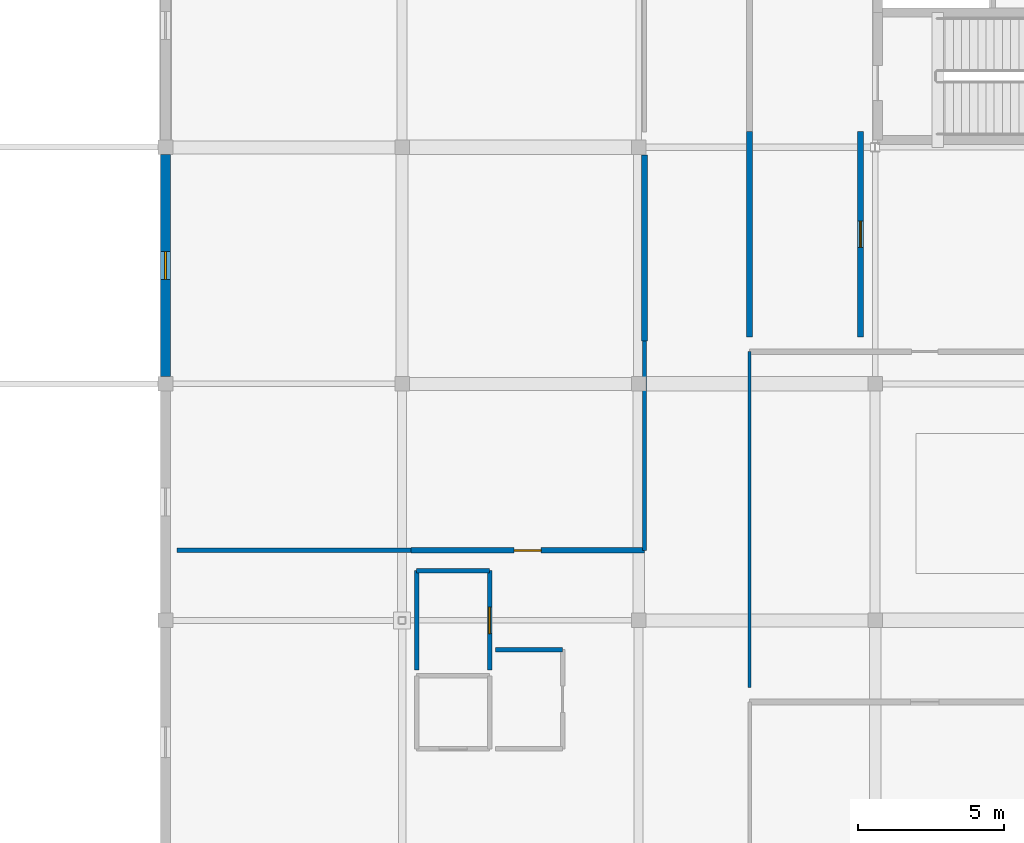
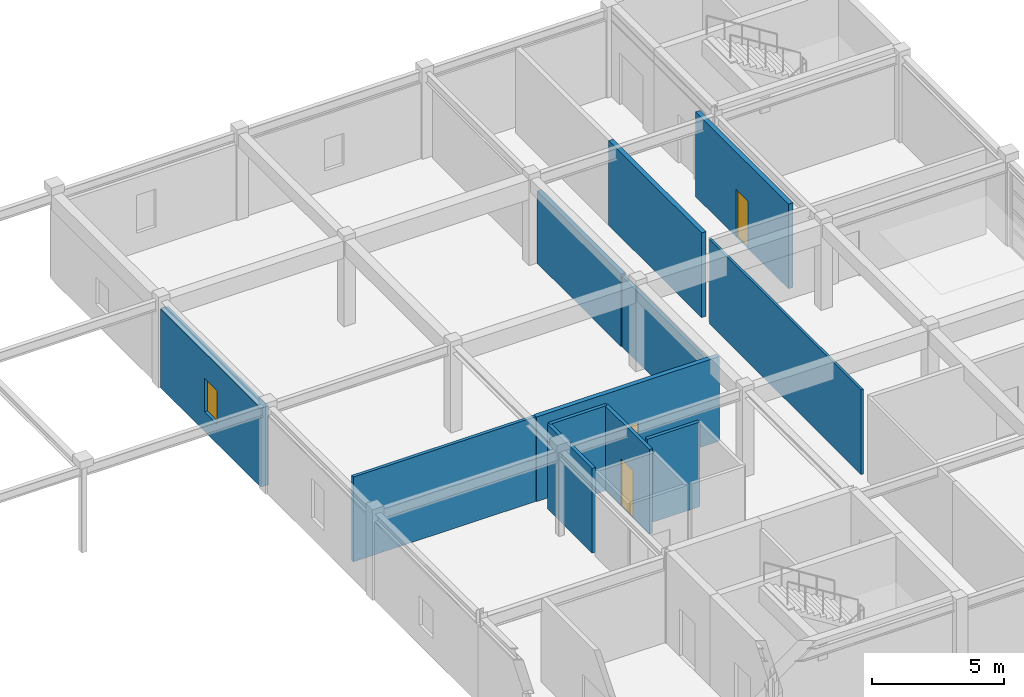
# One storey, part 18 of 26: 12 walls, 3 doors, 1 window, 4 openings.
"""IFC4 building model written with IfcOpenShell, lengths in metres."""

from ifc_helpers import new_model, si_unit, direction, frame, frame_2d, origin, place, context, subcontext, project, spatial, rectangle, extrude, material, layer, layer_set, type_object, element, fill, save


model = new_model("IFC4")

# Units and contexts
model_context = context("Model", 3, precision=1e-05, world=origin(), true_north=direction((0.0, 1.0)))
body_context = subcontext(model_context, "Body", "Model", "MODEL_VIEW")
ifc_project = project(units=[si_unit("LENGTHUNIT", "METRE"), si_unit("AREAUNIT", "SQUARE_METRE"), si_unit("VOLUMEUNIT", "CUBIC_METRE"), si_unit("PLANEANGLEUNIT", "RADIAN"), si_unit("MASSUNIT", "GRAM", prefix="KILO")], contexts=[model_context])

# Site, building, storey
site_placement = place(None, origin())
site = spatial("IfcSite", under=ifc_project, at=site_placement, CompositionType="ELEMENT")
building_placement = place(site_placement, origin())
building = spatial("IfcBuilding", under=site, at=building_placement, Name="Parian Resonance Hall", CompositionType="ELEMENT")
storey_placement = place(building_placement, frame((0.0, 0.0, 19.199951171875)))
storey = spatial("IfcBuildingStorey", under=building, at=storey_placement, Name="L04", CompositionType="ELEMENT", Elevation=19.199951171875)

# Wall, opening, window
ifc_material_1 = material(Name="Concrete C35/45 with Carcar coral-limestone ashlar", Category="masonry")
ifc_layer_1 = layer(ifc_material_1, 0.340087890625)
ifc_layer_set_1 = layer_set([ifc_layer_1], Name="Concrete C35/45 with Carcar coral-limestone ashlar")
wall_type_1 = type_object("IfcWallType", Name="EW-STONE-340", PredefinedType="SOLIDWALL", material=ifc_layer_set_1)
wall_1_placement = place(storey_placement, frame((113.39990234375, 80.75, 0.0), z_axis=(0.0, 0.0, 1.0), x_axis=(0.0, -1.0, 0.0)))
wall_1 = element("IfcWall", 1, at=wall_1_placement, inside=storey, type_object=wall_type_1, Name="Perimeter closure wall L04", PredefinedType="SOLIDWALL", context=body_context, shape_type="SweptSolid", body=[
    extrude(rectangle(XDim=7.60009765625, YDim=0.340087890625, at=frame_2d((3.800048828125, 0.0))), origin(), (0.0, 0.0, 1.0), 3.64599609375),
])
opening_1_placement = place(wall_1_placement, frame((3.324951171875, 0.0, 0.89990234375)))
opening_1 = element("IfcOpeningElement", 2, at=opening_1_placement, cuts=wall_1, Name="Opening WN-05", PredefinedType="OPENING", context=body_context, shape_type="SweptSolid", body=[
    extrude(rectangle(XDim=0.949951171875, YDim=1.550048828125, at=frame_2d((0.47509765625, 0.77490234375))), frame((0.0, 0.179931640625, 0.0), z_axis=(0.0, -1.0, 0.0), x_axis=(1.0, 0.0, 0.0)), (0.0, 0.0, 1.0), 0.360107421875),
])
ifc_material_2 = material(Name="Acoustic laminated double glazing", Category="glass")
window_type = type_object("IfcWindowType", Name="WIN-950x1550", PartitioningType="SINGLE_PANEL", PredefinedType="WINDOW", material=ifc_material_2)
window_placement = place(opening_1_placement, origin())
window = element("IfcWindow", 3, at=window_placement, inside=storey, type_object=window_type, Name="Acoustic window L04-0118", OverallHeight=1.550048828125, OverallWidth=0.949951171875, PartitioningType="SINGLE_PANEL", PredefinedType="WINDOW", context=body_context, shape_type="SweptSolid", body=[
    extrude(rectangle(XDim=0.949951171875, YDim=1.550048828125, at=frame_2d((0.47509765625, 0.77490234375))), frame((0.0, 0.030029296875, 0.0), z_axis=(0.0, -1.0, 0.0), x_axis=(1.0, 0.0, 0.0)), (0.0, 0.0, 1.0), 0.06005859375),
])
fill(opening_1, window)

# Wall
ifc_material_3 = material(Name="Concrete C35/45 fire barrier", Category="concrete")
ifc_layer_2 = layer(ifc_material_3, 0.199951171875)
ifc_layer_set_2 = layer_set([ifc_layer_2], Name="Concrete C35/45 fire barrier")
wall_type_2 = type_object("IfcWallType", Name="FW200", PredefinedType="PARTITIONING", material=ifc_layer_set_2)
wall_2_placement = place(storey_placement, frame((129.800048828125, 80.72998046875, 0.0), z_axis=(0.0, 0.0, 1.0), x_axis=(0.0, -1.0, 0.0)))
element("IfcWall", 4, at=wall_2_placement, inside=storey, type_object=wall_type_2, Name="Interior acoustic partition IW-L04-0268", PredefinedType="PARTITIONING", context=body_context, shape_type="SweptSolid", body=[
    extrude(rectangle(XDim=6.36328125, YDim=0.199951171875, at=frame_2d((3.181640625, 0.0))), origin(), (0.0, 0.0, 1.0), 3.35400390625),
])

# Wall, opening, door
wall_3_placement = place(storey_placement, frame((129.800048828125, 67.199951171875, 0.0), z_axis=(0.0, 0.0, 1.0), x_axis=(-1.0, 0.0, 0.0)))
wall_3 = element("IfcWall", 5, at=wall_3_placement, inside=storey, type_object=wall_type_2, Name="Interior acoustic partition IW-L04-0270", PredefinedType="PARTITIONING", context=body_context, shape_type="SweptSolid", body=[
    extrude(rectangle(XDim=8.0, YDim=0.199951171875, at=frame_2d((4.0, 0.0))), origin(), (0.0, 0.0, 1.0), 3.920166015625),
])
opening_2_placement = place(wall_3_placement, frame((3.5400390625, 0.0, 0.0)))
opening_2 = element("IfcOpeningElement", 6, at=opening_2_placement, cuts=wall_3, Name="Opening ID-20", PredefinedType="OPENING", context=body_context, shape_type="SweptSolid", body=[
    extrude(rectangle(XDim=0.919921875, YDim=2.10009765625, at=frame_2d((0.4599609375, 1.050048828125))), frame((0.0, 0.10986328125, 0.0), z_axis=(0.0, -1.0, 0.0), x_axis=(1.0, 0.0, 0.0)), (0.0, 0.0, 1.0), 0.219970703125),
])
ifc_material_4 = material(Name="Philippine narra acoustic timber door", Category="wood")
door_type_1 = type_object("IfcDoorType", Name="ID-OFF-0920x2100", OperationType="NOTDEFINED", PredefinedType="DOOR", material=ifc_material_4)
door_1_placement = place(opening_2_placement, origin())
door_1 = element("IfcDoor", 7, at=door_1_placement, inside=storey, type_object=door_type_1, Name="Music Library Archive door", OperationType="SINGLE_SWING_LEFT", OverallHeight=2.10009765625, OverallWidth=0.919921875, PredefinedType="DOOR", context=body_context, shape_type="SweptSolid", body=[
    extrude(rectangle(XDim=0.919921875, YDim=2.10009765625, at=frame_2d((0.4599609375, 1.050048828125))), frame((0.0, 0.02490234375, 0.0), z_axis=(0.0, -1.0, 0.0), x_axis=(1.0, 0.0, 0.0)), (0.0, 0.0, 1.0), 0.050048828125),
])
fill(opening_2, door_1)

wall_4_placement = place(storey_placement, frame((137.199951171875, 81.550048828125, 0.0), z_axis=(0.0, 0.0, 1.0), x_axis=(0.0, -1.0, 0.0)))
wall_4 = element("IfcWall", 8, at=wall_4_placement, inside=storey, type_object=wall_type_2, Name="Interior acoustic partition IW-L04-0277", PredefinedType="PARTITIONING", context=body_context, shape_type="SweptSolid", body=[
    extrude(rectangle(XDim=7.050048828125, YDim=0.199951171875, at=frame_2d((3.52490234375, 0.0))), origin(), (0.0, 0.0, 1.0), 3.920166015625),
])
opening_3_placement = place(wall_4_placement, frame((3.074951171875, 0.0, 0.0)))
opening_3 = element("IfcOpeningElement", 9, at=opening_3_placement, cuts=wall_4, Name="Opening ID-23", PredefinedType="OPENING", context=body_context, shape_type="SweptSolid", body=[
    extrude(rectangle(XDim=0.89990234375, YDim=2.199951171875, at=frame_2d((0.449951171875, 1.10009765625))), frame((0.0, 0.10986328125, 0.0), z_axis=(0.0, -1.0, 0.0), x_axis=(1.0, 0.0, 0.0)), (0.0, 0.0, 1.0), 0.219970703125),
])
ifc_material_5 = material(Name="Philippine narra acoustic timber door", Category="wood")
door_type_2 = type_object("IfcDoorType", Name="ID-WC-0900x2200", OperationType="NOTDEFINED", PredefinedType="DOOR", material=ifc_material_5)
door_2_placement = place(opening_3_placement, origin())
door_2 = element("IfcDoor", 10, at=door_2_placement, inside=storey, type_object=door_type_2, Name="Concert Programming Office door", OperationType="SINGLE_SWING_RIGHT", OverallHeight=2.199951171875, OverallWidth=0.89990234375, PredefinedType="DOOR", context=body_context, shape_type="SweptSolid", body=[
    extrude(rectangle(XDim=0.89990234375, YDim=2.199951171875, at=frame_2d((0.449951171875, 1.10009765625))), frame((0.0, 0.02490234375, 0.0), z_axis=(0.0, -1.0, 0.0), x_axis=(1.0, 0.0, 0.0)), (0.0, 0.0, 1.0), 0.050048828125),
])
fill(opening_3, door_2)

# Walls
wall_5_placement = place(storey_placement, frame((133.39990234375, 74.5, 0.0), z_axis=(0.0, 0.0, 1.0), x_axis=(0.0, 1.0, 0.0)))
element("IfcWall", 11, at=wall_5_placement, inside=storey, type_object=wall_type_2, Name="Interior acoustic partition IW-L04-0278", PredefinedType="PARTITIONING", context=body_context, shape_type="SweptSolid", body=[
    extrude(rectangle(XDim=7.050048828125, YDim=0.199951171875, at=frame_2d((3.52490234375, 0.0))), origin(), (0.0, 0.0, 1.0), 3.920166015625),
])
ifc_material_6 = material(Name="Concrete C35/45 acoustic masonry partition", Category="masonry")
ifc_layer_3 = layer(ifc_material_6, 0.10009765625)
ifc_layer_set_3 = layer_set([ifc_layer_3], Name="Concrete C35/45 acoustic masonry partition")
wall_type_3 = type_object("IfcWallType", Name="PW100", PredefinedType="PARTITIONING", material=ifc_layer_set_3)
wall_6_placement = place(storey_placement, frame((133.39990234375, 62.5, 0.0), z_axis=(0.0, 0.0, 1.0), x_axis=(0.0, 1.0, 0.0)))
element("IfcWall", 12, at=wall_6_placement, inside=storey, type_object=wall_type_3, Name="Interior acoustic partition IW-L04-0275", PredefinedType="PARTITIONING", context=body_context, shape_type="SweptSolid", body=[
    extrude(rectangle(XDim=11.5, YDim=0.10009765625, at=frame_2d((5.75, 0.0))), origin(), (0.0, 0.0, 1.0), 3.920166015625),
])
ifc_material_7 = material(Name="Concrete C35/45 acoustic masonry partition", Category="masonry")
ifc_layer_4 = layer(ifc_material_7, 0.139892578125)
ifc_layer_set_4 = layer_set([ifc_layer_4], Name="Concrete C35/45 acoustic masonry partition")
wall_type_4 = type_object("IfcWallType", Name="PW140", PredefinedType="PARTITIONING", material=ifc_layer_set_4)
wall_7_placement = place(storey_placement, frame((129.800048828125, 74.36669921875, 0.0), z_axis=(0.0, 0.0, 1.0), x_axis=(0.0, -1.0, 0.0)))
element("IfcWall", 13, at=wall_7_placement, inside=storey, type_object=wall_type_4, Name="Interior acoustic partition IW-L04-0269", PredefinedType="PARTITIONING", context=body_context, shape_type="SweptSolid", body=[
    extrude(rectangle(XDim=7.166748046875, YDim=0.139892578125, at=frame_2d((3.58349609375, 0.0))), origin(), (0.0, 0.0, 1.0), 3.254150390625),
])
wall_8_placement = place(storey_placement, frame((121.800048828125, 67.199951171875, 0.0), z_axis=(0.0, 0.0, 1.0), x_axis=(-1.0, 0.0, 0.0)))
element("IfcWall", 14, at=wall_8_placement, inside=storey, type_object=wall_type_4, Name="Interior acoustic partition IW-L04-0271", PredefinedType="PARTITIONING", context=body_context, shape_type="SweptSolid", body=[
    extrude(rectangle(XDim=8.0, YDim=0.139892578125, at=frame_2d((4.0, 0.0))), origin(), (0.0, 0.0, 1.0), 3.920166015625),
])
ifc_material_8 = material(Name="Concrete C35/45 acoustic plumbing chase wall", Category="concrete")
ifc_layer_5 = layer(ifc_material_8, 0.14990234375)
ifc_layer_set_5 = layer_set([ifc_layer_5], Name="Concrete C35/45 acoustic plumbing chase wall")
wall_type_5 = type_object("IfcWallType", Name="PW150", PredefinedType="PLUMBINGWALL", material=ifc_layer_set_5)
wall_9_placement = place(storey_placement, frame((124.699951171875, 63.800048828125, 0.0), z_axis=(0.0, 0.0, 1.0), x_axis=(1.0, 0.0, 0.0)))
element("IfcWall", 15, at=wall_9_placement, inside=storey, type_object=wall_type_5, Name="Interior acoustic partition IW-L04-0262", PredefinedType="PLUMBINGWALL", context=body_context, shape_type="SweptSolid", body=[
    extrude(rectangle(XDim=2.300048828125, YDim=0.14990234375, at=frame_2d((1.14990234375, 0.0))), origin(), (0.0, 0.0, 1.0), 3.920166015625),
])

# Wall, opening, door
wall_10_placement = place(storey_placement, frame((124.5, 66.5, 0.0), z_axis=(0.0, 0.0, 1.0), x_axis=(0.0, -1.0, 0.0)))
wall_10 = element("IfcWall", 16, at=wall_10_placement, inside=storey, type_object=wall_type_5, Name="Interior acoustic partition IW-L04-0263", PredefinedType="PLUMBINGWALL", context=body_context, shape_type="SweptSolid", body=[
    extrude(rectangle(XDim=3.39990234375, YDim=0.14990234375, at=frame_2d((1.699951171875, 0.0))), origin(), (0.0, 0.0, 1.0), 3.920166015625),
])
opening_4_placement = place(wall_10_placement, frame((1.25, 0.0, 0.0)))
opening_4 = element("IfcOpeningElement", 17, at=opening_4_placement, cuts=wall_10, Name="Opening ID-23", PredefinedType="OPENING", context=body_context, shape_type="SweptSolid", body=[
    extrude(rectangle(XDim=0.89990234375, YDim=2.199951171875, at=frame_2d((0.449951171875, 1.10009765625))), frame((0.0, 0.0849609375, 0.0), z_axis=(0.0, -1.0, 0.0), x_axis=(1.0, 0.0, 0.0)), (0.0, 0.0, 1.0), 0.169921875),
])
door_3_placement = place(opening_4_placement, origin())
door_3 = element("IfcDoor", 18, at=door_3_placement, inside=storey, type_object=door_type_2, Name="Male Restroom W2 door", OperationType="SINGLE_SWING_LEFT", OverallHeight=2.199951171875, OverallWidth=0.89990234375, PredefinedType="DOOR", context=body_context, shape_type="SweptSolid", body=[
    extrude(rectangle(XDim=0.89990234375, YDim=2.199951171875, at=frame_2d((0.449951171875, 1.10009765625))), frame((0.0, 0.02490234375, 0.0), z_axis=(0.0, -1.0, 0.0), x_axis=(1.0, 0.0, 0.0)), (0.0, 0.0, 1.0), 0.050048828125),
])
fill(opening_4, door_3)

# Walls
wall_11_placement = place(storey_placement, frame((122.0, 63.10009765625, 0.0), z_axis=(0.0, 0.0, 1.0), x_axis=(0.0, 1.0, 0.0)))
element("IfcWall", 19, at=wall_11_placement, inside=storey, type_object=wall_type_5, Name="Interior acoustic partition IW-L04-0264", PredefinedType="PLUMBINGWALL", context=body_context, shape_type="SweptSolid", body=[
    extrude(rectangle(XDim=3.39990234375, YDim=0.14990234375, at=frame_2d((1.699951171875, 0.0))), origin(), (0.0, 0.0, 1.0), 3.920166015625),
])
wall_12_placement = place(storey_placement, frame((122.0, 66.5, 0.0), z_axis=(0.0, 0.0, 1.0), x_axis=(1.0, 0.0, 0.0)))
element("IfcWall", 20, at=wall_12_placement, inside=storey, type_object=wall_type_5, Name="Interior acoustic partition IW-L04-0265", PredefinedType="PLUMBINGWALL", context=body_context, shape_type="SweptSolid", body=[
    extrude(rectangle(XDim=2.5, YDim=0.14990234375, at=frame_2d((1.25, 0.0))), origin(), (0.0, 0.0, 1.0), 3.920166015625),
])

save(model, "model.ifc")
